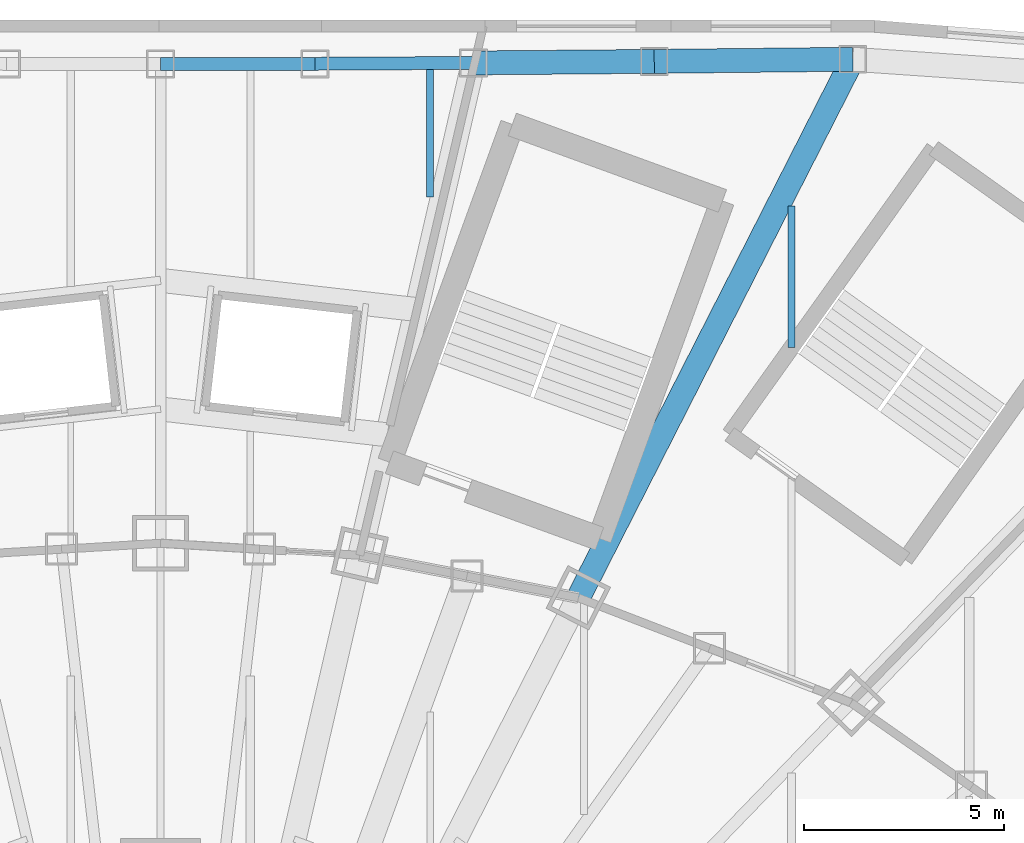
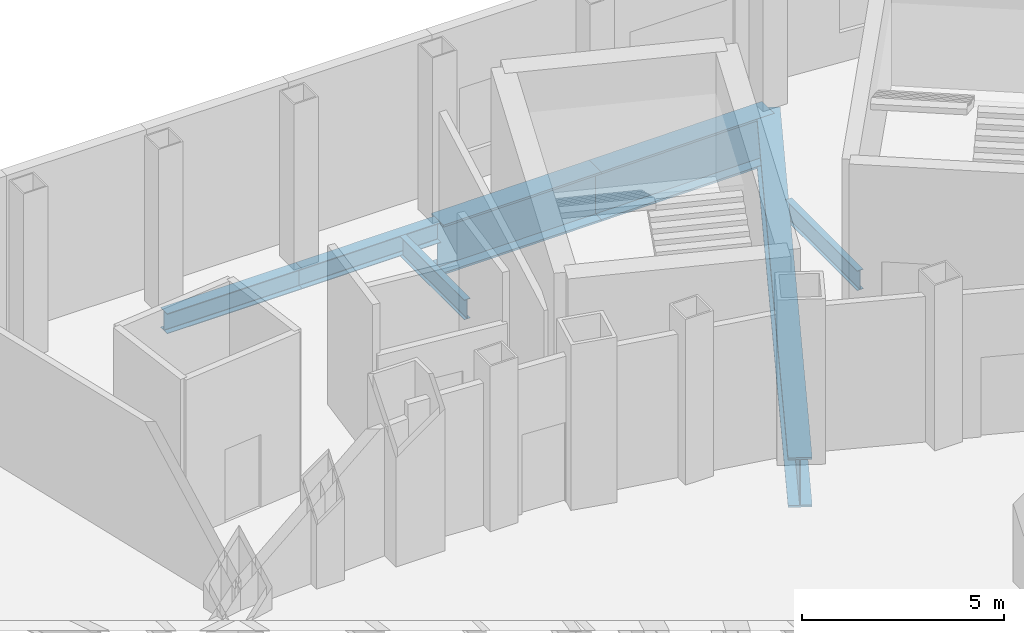
# One storey, part 8 of 73: 7 beams.
"""IFC4 building model written with IfcOpenShell, lengths in metres."""

from ifc_helpers import new_model, si_unit, direction, frame, origin, origin_2d, place, context, subcontext, project, spatial, i_section, extrude, material, material_profile, profile_set, type_object, element, save


model = new_model("IFC4")

# Units and contexts
model_context = context("Model", 3, precision=1e-05, world=origin(), true_north=direction((0.0, 1.0)))
body_context = subcontext(model_context, "Body", "Model", "MODEL_VIEW")
ifc_project = project(units=[si_unit("LENGTHUNIT", "METRE"), si_unit("AREAUNIT", "SQUARE_METRE"), si_unit("VOLUMEUNIT", "CUBIC_METRE"), si_unit("PLANEANGLEUNIT", "RADIAN"), si_unit("MASSUNIT", "GRAM", prefix="KILO")], contexts=[model_context])

# Site, building, storey
site_placement = place(None, origin())
site = spatial("IfcSite", under=ifc_project, at=site_placement, CompositionType="ELEMENT")
building_placement = place(site_placement, origin())
building = spatial("IfcBuilding", under=site, at=building_placement, Name="Lantaw Convention Tower", CompositionType="ELEMENT")
storey_placement = place(building_placement, frame((0.0, 0.0, 22.0)))
storey = spatial("IfcBuildingStorey", under=building, at=storey_placement, Name="L03", CompositionType="ELEMENT", Elevation=22.0)

# Beams
ifc_material_1 = material(Name="Steel ASTM A572 Grade 50", Category="steel")
ifc_material_profile_1 = material_profile(ifc_material_1, i_section(OverallWidth=0.60009765625, OverallDepth=1.5, WebThickness=0.02490234375, FlangeThickness=0.06005859375, at=origin_2d()), Name="PG1500X600X25X60")
ifc_profile_set_1 = profile_set([ifc_material_profile_1], Name="Steel ASTM A572 Grade 50")
beam_type_1 = type_object("IfcBeamType", Name="Beam E PG1500X600X25X60", PredefinedType="SPANDREL", material=ifc_profile_set_1)
beam_1_placement = place(storey_placement, frame((17.333984375, 34.019775390625, -0.949951171875), z_axis=(-0.999942166471, -0.010754706535, 0.0), x_axis=(0.010754706535, -0.999942166471, 0.0)))
element("IfcBeam", 1, at=beam_1_placement, inside=storey, type_object=beam_type_1, Name="Podium edge beam R04", PredefinedType="SPANDREL", context=body_context, shape_type="SweptSolid", body=[
    extrude(i_section(OverallWidth=0.60009765625, OverallDepth=1.5, WebThickness=0.02490234375, FlangeThickness=0.06005859375, at=origin_2d()), origin(), (0.0, 0.0, 1.0), 4.971435546875),
])
beam_2_placement = place(storey_placement, frame((12.36279296875, 33.96630859375, -0.949951171875), z_axis=(-0.999964655563, -0.00840759331, 0.0), x_axis=(0.00840759331, -0.999964655563, 0.0)))
element("IfcBeam", 2, at=beam_2_placement, inside=storey, type_object=beam_type_1, Name="Podium edge beam B04", PredefinedType="SPANDREL", context=body_context, shape_type="SweptSolid", body=[
    extrude(i_section(OverallWidth=0.60009765625, OverallDepth=1.5, WebThickness=0.02490234375, FlangeThickness=0.06005859375, at=origin_2d()), origin(), (0.0, 0.0, 1.0), 4.530029296875),
])
ifc_material_2 = material(Name="Steel ASTM A992", Category="steel")
ifc_material_profile_2 = material_profile(ifc_material_2, i_section(OverallWidth=0.3251953125, OverallDepth=0.612060546875, WebThickness=0.0126953125, FlangeThickness=0.01904296875, FilletRadius=0.0126953125, at=origin_2d()), Name="W24X104")
ifc_profile_set_2 = profile_set([ifc_material_profile_2], Name="Steel ASTM A992")
beam_type_2 = type_object("IfcBeamType", Name="Beam E W24X104", PredefinedType="SPANDREL", material=ifc_profile_set_2)
beam_3_placement = place(storey_placement, frame((7.8330078125, 33.92822265625, -0.506103515625), z_axis=(-0.999985686096, -0.005350476918, 0.0), x_axis=(0.005350476918, -0.999985686096, 0.0)))
element("IfcBeam", 3, at=beam_3_placement, inside=storey, type_object=beam_type_2, Name="Podium edge beam R05", PredefinedType="SPANDREL", context=body_context, shape_type="SweptSolid", body=[
    extrude(i_section(OverallWidth=0.3251953125, OverallDepth=0.612060546875, WebThickness=0.0126953125, FlangeThickness=0.01904296875, FilletRadius=0.0126953125, at=origin_2d()), origin(), (0.0, 0.0, 1.0), 3.9697265625),
])
beam_4_placement = place(storey_placement, frame((3.86328125, 33.906982421875, -0.506103515625), z_axis=(-0.999998320684, -0.001832656174, 0.0), x_axis=(0.001832656174, -0.999998320684, 0.0)))
element("IfcBeam", 4, at=beam_4_placement, inside=storey, type_object=beam_type_2, Name="Podium edge beam B05", PredefinedType="SPANDREL", context=body_context, shape_type="SweptSolid", body=[
    extrude(i_section(OverallWidth=0.3251953125, OverallDepth=0.612060546875, WebThickness=0.0126953125, FlangeThickness=0.01904296875, FilletRadius=0.0126953125, at=origin_2d()), origin(), (0.0, 0.0, 1.0), 3.86328125),
])
ifc_material_profile_3 = material_profile(ifc_material_2, i_section(OverallWidth=0.177978515625, OverallDepth=0.599365234375, WebThickness=0.010009765625, FlangeThickness=0.012939453125, FilletRadius=0.012939453125, at=origin_2d()), Name="W24X55")
ifc_profile_set_3 = profile_set([ifc_material_profile_3], Name="Steel ASTM A992")
beam_type_3 = type_object("IfcBeamType", Name="Beam J W24X55", PredefinedType="JOIST", material=ifc_profile_set_3)
beam_5_placement = place(storey_placement, frame((6.75, 30.571044921875, -0.499755859375), z_axis=(0.0, 1.0, 0.0), x_axis=(-1.0, 0.0, 0.0)))
element("IfcBeam", 5, at=beam_5_placement, inside=storey, type_object=beam_type_3, Name="Floor joist", PredefinedType="JOIST", context=body_context, shape_type="SweptSolid", body=[
    extrude(i_section(OverallWidth=0.177978515625, OverallDepth=0.599365234375, WebThickness=0.010009765625, FlangeThickness=0.012939453125, FilletRadius=0.012939453125, at=origin_2d()), origin(), (0.0, 0.0, 1.0), 3.188720703125),
])
beam_6_placement = place(storey_placement, frame((15.800048828125, 26.80029296875, -0.499755859375), z_axis=(0.0, 1.0, 0.0), x_axis=(-1.0, 0.0, 0.0)))
element("IfcBeam", 6, at=beam_6_placement, inside=storey, type_object=beam_type_3, Name="Floor joist", PredefinedType="JOIST", context=body_context, shape_type="SweptSolid", body=[
    extrude(i_section(OverallWidth=0.177978515625, OverallDepth=0.599365234375, WebThickness=0.010009765625, FlangeThickness=0.012939453125, FilletRadius=0.012939453125, at=origin_2d()), origin(), (0.0, 0.0, 1.0), 3.548095703125),
])
ifc_material_profile_4 = material_profile(ifc_material_1, i_section(OverallWidth=0.60009765625, OverallDepth=1.5, WebThickness=0.02490234375, FlangeThickness=0.06005859375, at=origin_2d()), Name="PG1500X600X25X60")
ifc_profile_set_4 = profile_set([ifc_material_profile_4], Name="Steel ASTM A572 Grade 50")
beam_type_4 = type_object("IfcBeamType", Name="Beam PG PG1500X600X25X60", PredefinedType="BEAM", material=ifc_profile_set_4)
beam_7_placement = place(storey_placement, frame((10.462646484375, 20.533935546875, -0.949951171875), z_axis=(0.453988364005, 0.891007612396, 0.0), x_axis=(-0.891007612396, 0.453988364005, 0.0)))
element("IfcBeam", 7, at=beam_7_placement, inside=storey, type_object=beam_type_4, Name="Podium girder PR05", PredefinedType="BEAM", context=body_context, shape_type="SweptSolid", body=[
    extrude(i_section(OverallWidth=0.60009765625, OverallDepth=1.5, WebThickness=0.02490234375, FlangeThickness=0.06005859375, at=origin_2d()), origin(), (0.0, 0.0, 1.0), 15.135498046875),
])

save(model, "model.ifc")
